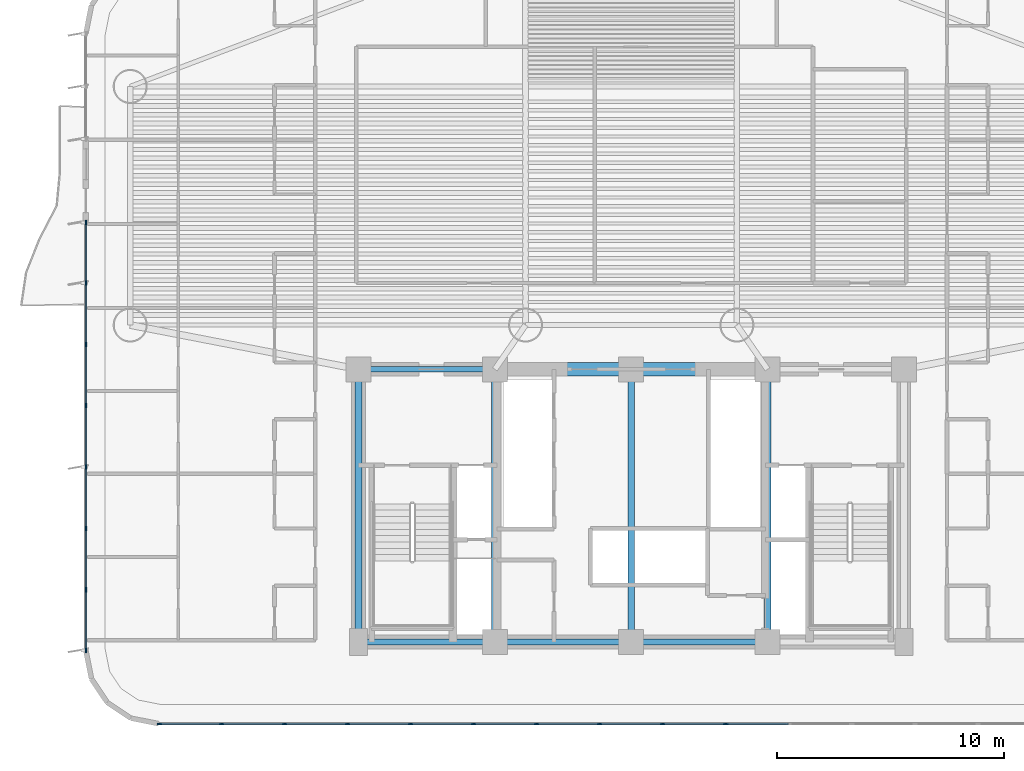
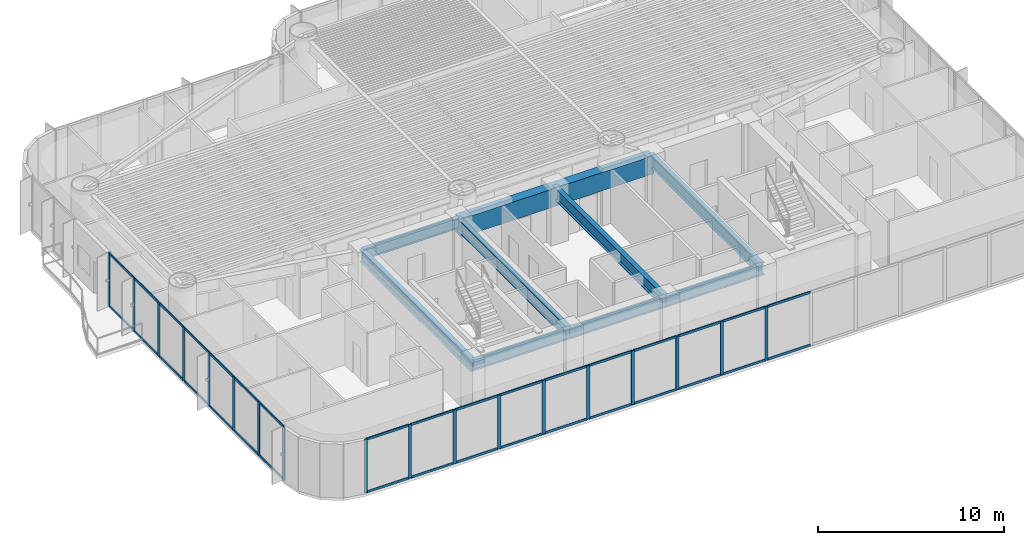
# One storey, part 2 of 19: 52 members, 9 beams, 2 elements without a shape of their own.
"""IFC4 building model written with IfcOpenShell, lengths in metres."""

from ifc_helpers import new_model, si_unit, direction, frame, origin, origin_2d, place, context, subcontext, project, spatial, rectangle, i_section, extrude, source, transform, mapped, material, layer, layer_set, material_profile, profile_set, type_object, element, aggregate, save


model = new_model("IFC4")

# Units and contexts
model_context = context("Model", 3, precision=1e-05, world=origin(), true_north=direction((0.0, 1.0)))
body_context = subcontext(model_context, "Body", "Model", "MODEL_VIEW")
ifc_project = project(units=[si_unit("LENGTHUNIT", "METRE"), si_unit("AREAUNIT", "SQUARE_METRE"), si_unit("VOLUMEUNIT", "CUBIC_METRE"), si_unit("PLANEANGLEUNIT", "RADIAN"), si_unit("MASSUNIT", "GRAM", prefix="KILO")], contexts=[model_context])

# Site, building, storey
site_placement = place(None, origin())
site = spatial("IfcSite", under=ifc_project, at=site_placement, CompositionType="ELEMENT")
building_placement = place(site_placement, origin())
building = spatial("IfcBuilding", under=site, at=building_placement, Name="Brelvock Crest Care Tower", CompositionType="ELEMENT")
storey_placement = place(building_placement, frame((0.0, 0.0, 34.56005859375)))
storey = spatial("IfcBuildingStorey", under=building, at=storey_placement, Name="L08", CompositionType="ELEMENT", Elevation=34.56005859375)

# Beams
ifc_material_1 = material(Name="Concrete S80 (80 MPa)", Category="concrete")
ifc_material_profile_1 = material_profile(ifc_material_1, rectangle(XDim=0.60009765625, YDim=1.199951171875, at=origin_2d()), Name="RC600x1200")
ifc_profile_set_1 = profile_set([ifc_material_profile_1], Name="Concrete S80 (80 MPa)")
beam_type_1 = type_object("IfcBeamType", Name="BM-LN1", PredefinedType="LINTEL", material=ifc_profile_set_1)
shared_shape_1 = source(origin(), body_context, "Body", "SweptSolid", [
    extrude(rectangle(XDim=0.60009765625, YDim=1.199951171875, at=origin_2d()), origin(), (0.0, 0.0, 1.0), 12.0),
])
beam_placement = place(storey_placement, frame((30.0, 18.0, 2.929931640625), z_axis=(1.0, 0.0, 0.0), x_axis=(0.0, 1.0, 0.0)))
element("IfcBeam", 1, at=beam_placement, inside=storey, type_object=beam_type_1, Name="L08 Core Coupling Lintel Beam", PredefinedType="LINTEL", context=body_context, shape_type="MappedRepresentation", body=[
    mapped(shared_shape_1, transform((0.0, 0.0, 0.0), x_axis=(1.0, 0.0, 0.0), y_axis=(0.0, 1.0, 0.0), z_axis=(0.0, 0.0, 1.0), scale=1.0)),
])
ifc_material_2 = material(Name="Steel Grade 350", Category="steel")
ifc_material_profile_2 = material_profile(ifc_material_2, i_section(OverallWidth=0.25, OverallDepth=0.699951171875, WebThickness=0.011962890625, FlangeThickness=0.02001953125, at=origin_2d()), Name="700WB150")
ifc_profile_set_2 = profile_set([ifc_material_profile_2], Name="Steel Grade 350")
beam_type_2 = type_object("IfcBeamType", Name="BM-G4", PredefinedType="BEAM", material=ifc_profile_set_2)
shared_shape_2 = source(origin(), body_context, "Body", "SweptSolid", [
    extrude(i_section(OverallWidth=0.25, OverallDepth=0.699951171875, WebThickness=0.011962890625, FlangeThickness=0.02001953125, at=origin_2d()), origin(), (0.0, 0.0, 1.0), 6.0),
])
for number, where, z_axis, x_axis, name in (
    (2, (24.0, 6.0, 3.179931640625), (1.0, 0.0, 0.0), (0.0, 1.0, 0.0), "BM-CORES-L08-1"),
    (3, (24.0, 18.0, 3.179931640625), (1.0, 0.0, 0.0), (0.0, 1.0, 0.0), "BM-COREN-L08-1"),
    (4, (30.0, 6.0, 3.179931640625), (1.0, 0.0, 0.0), (0.0, 1.0, 0.0), "BM-CORES-L08-2"),
    (5, (36.0, 6.0, 3.179931640625), (1.0, 0.0, 0.0), (0.0, 1.0, 0.0), "BM-CORES-L08-3"),
):
    element("IfcBeam", number, at=place(storey_placement, frame(where, z_axis=z_axis, x_axis=x_axis)), inside=storey, type_object=beam_type_2, Name=name, PredefinedType="BEAM", context=body_context, shape_type="MappedRepresentation", body=[
        mapped(shared_shape_2, transform((0.0, 0.0, 0.0), x_axis=(1.0, 0.0, 0.0), y_axis=(0.0, 1.0, 0.0), z_axis=(0.0, 0.0, 1.0), scale=1.0)),
    ])
ifc_material_profile_3 = material_profile(ifc_material_2, i_section(OverallWidth=0.300048828125, OverallDepth=0.800048828125, WebThickness=0.013916015625, FlangeThickness=0.02197265625, at=origin_2d()), Name="800WB192")
ifc_profile_set_3 = profile_set([ifc_material_profile_3], Name="Steel Grade 350")
beam_type_3 = type_object("IfcBeamType", Name="BM-G5", PredefinedType="BEAM", material=ifc_profile_set_3)
shared_shape_3 = source(origin(), body_context, "Body", "SweptSolid", [
    extrude(i_section(OverallWidth=0.300048828125, OverallDepth=0.800048828125, WebThickness=0.013916015625, FlangeThickness=0.02197265625, at=origin_2d()), origin(), (0.0, 0.0, 1.0), 12.0),
])
for number, where, z_axis, x_axis, name in (
    (6, (24.0, 6.0, 3.1298828125), (0.0, 1.0, 0.0), (-1.0, 0.0, 0.0), "BM-COREX-L08-1"),
    (7, (30.0, 6.0, 3.1298828125), (0.0, 1.0, 0.0), (-1.0, 0.0, 0.0), "BM-COREX-L08-2"),
    (8, (36.0, 6.0, 3.1298828125), (0.0, 1.0, 0.0), (-1.0, 0.0, 0.0), "BM-COREX-L08-3"),
    (9, (42.0, 6.0, 3.1298828125), (0.0, 1.0, 0.0), (-1.0, 0.0, 0.0), "BM-COREX-L08-4"),
):
    element("IfcBeam", number, at=place(storey_placement, frame(where, z_axis=z_axis, x_axis=x_axis)), inside=storey, type_object=beam_type_3, Name=name, PredefinedType="BEAM", context=body_context, shape_type="MappedRepresentation", body=[
        mapped(shared_shape_3, transform((0.0, 0.0, 0.0), x_axis=(1.0, 0.0, 0.0), y_axis=(0.0, 1.0, 0.0), z_axis=(0.0, 0.0, 1.0), scale=1.0)),
    ])

# Curtain wall, members
ifc_material_3 = material(Name="Dark Glass Double Glazed Low-E", Category="glass")
ifc_layer = layer(ifc_material_3, 0.195068359375, Name="CWS-2")
ifc_layer_set = layer_set([ifc_layer], Name="Dark Glass Double Glazed Low-E")
curtain_wall_type = type_object("IfcCurtainWallType", Name="CWS-2", PredefinedType="NOTDEFINED", material=ifc_layer_set)
curtain_wall_1_placement = place(storey_placement, origin())
curtain_wall_1 = element("IfcCurtainWall", 10, at=curtain_wall_1_placement, inside=storey, type_object=curtain_wall_type, Name="L08 Curtain Wall E08", PredefinedType="NOTDEFINED")
ifc_material_4 = material(Name="Aluminium 6063-T6", Category="aluminium")
ifc_material_profile_4 = material_profile(ifc_material_4, rectangle(XDim=0.06494140625, YDim=0.199951171875, at=origin_2d()), Name="ALU65x200")
ifc_profile_set_4 = profile_set([ifc_material_profile_4], Name="Aluminium 6063-T6")
member_type_1 = type_object("IfcMemberType", Name="CWM-1", PredefinedType="MULLION", material=ifc_profile_set_4)
shared_shape_4 = source(origin(), body_context, "Body", "SweptSolid", [
    extrude(rectangle(XDim=0.06494140625, YDim=0.199951171875, at=origin_2d()), origin(), (0.0, 0.0, 1.0), 3.530029296875),
])
member_1_placement = place(storey_placement, frame((40.159912109375, 2.39990234375, 0.0), z_axis=(0.0, 0.0, 1.0), x_axis=(0.0, -1.0, 0.0)))
member_1 = element("IfcMember", 11, at=member_1_placement, type_object=member_type_1, Name="CW-2 mullion 7", PredefinedType="MULLION", context=body_context, shape_type="MappedRepresentation", body=[
    mapped(shared_shape_4, transform((0.0, 0.0, 0.0), x_axis=(1.0, 0.0, 0.0), y_axis=(0.0, 1.0, 0.0), z_axis=(0.0, 0.0, 1.0), scale=1.0)),
])
member_2_placement = place(storey_placement, frame((37.38671875, 2.39990234375, 0.0), z_axis=(0.0, 0.0, 1.0), x_axis=(0.0, -1.0, 0.0)))
member_2 = element("IfcMember", 12, at=member_2_placement, type_object=member_type_1, Name="CW-2 mullion 8", PredefinedType="MULLION", context=body_context, shape_type="MappedRepresentation", body=[
    mapped(shared_shape_4, transform((0.0, 0.0, 0.0), x_axis=(1.0, 0.0, 0.0), y_axis=(0.0, 1.0, 0.0), z_axis=(0.0, 0.0, 1.0), scale=1.0)),
])
member_3_placement = place(storey_placement, frame((34.61328125, 2.39990234375, 0.0), z_axis=(0.0, 0.0, 1.0), x_axis=(0.0, -1.0, 0.0)))
member_3 = element("IfcMember", 13, at=member_3_placement, type_object=member_type_1, Name="CW-2 mullion 9", PredefinedType="MULLION", context=body_context, shape_type="MappedRepresentation", body=[
    mapped(shared_shape_4, transform((0.0, 0.0, 0.0), x_axis=(1.0, 0.0, 0.0), y_axis=(0.0, 1.0, 0.0), z_axis=(0.0, 0.0, 1.0), scale=1.0)),
])
member_4_placement = place(storey_placement, frame((31.840087890625, 2.39990234375, 0.0), z_axis=(0.0, 0.0, 1.0), x_axis=(0.0, -1.0, 0.0)))
member_4 = element("IfcMember", 14, at=member_4_placement, type_object=member_type_1, Name="CW-2 mullion 10", PredefinedType="MULLION", context=body_context, shape_type="MappedRepresentation", body=[
    mapped(shared_shape_4, transform((0.0, 0.0, 0.0), x_axis=(1.0, 0.0, 0.0), y_axis=(0.0, 1.0, 0.0), z_axis=(0.0, 0.0, 1.0), scale=1.0)),
])
member_5_placement = place(storey_placement, frame((29.066650390625, 2.39990234375, 0.0), z_axis=(0.0, 0.0, 1.0), x_axis=(0.0, -1.0, 0.0)))
member_5 = element("IfcMember", 15, at=member_5_placement, type_object=member_type_1, Name="CW-2 mullion 11", PredefinedType="MULLION", context=body_context, shape_type="MappedRepresentation", body=[
    mapped(shared_shape_4, transform((0.0, 0.0, 0.0), x_axis=(1.0, 0.0, 0.0), y_axis=(0.0, 1.0, 0.0), z_axis=(0.0, 0.0, 1.0), scale=1.0)),
])
member_6_placement = place(storey_placement, frame((26.293212890625, 2.39990234375, 0.0), z_axis=(0.0, 0.0, 1.0), x_axis=(0.0, -1.0, 0.0)))
member_6 = element("IfcMember", 16, at=member_6_placement, type_object=member_type_1, Name="CW-2 mullion 12", PredefinedType="MULLION", context=body_context, shape_type="MappedRepresentation", body=[
    mapped(shared_shape_4, transform((0.0, 0.0, 0.0), x_axis=(1.0, 0.0, 0.0), y_axis=(0.0, 1.0, 0.0), z_axis=(0.0, 0.0, 1.0), scale=1.0)),
])
member_7_placement = place(storey_placement, frame((23.52001953125, 2.39990234375, 0.0), z_axis=(0.0, 0.0, 1.0), x_axis=(0.0, -1.0, 0.0)))
member_7 = element("IfcMember", 17, at=member_7_placement, type_object=member_type_1, Name="CW-2 mullion 13", PredefinedType="MULLION", context=body_context, shape_type="MappedRepresentation", body=[
    mapped(shared_shape_4, transform((0.0, 0.0, 0.0), x_axis=(1.0, 0.0, 0.0), y_axis=(0.0, 1.0, 0.0), z_axis=(0.0, 0.0, 1.0), scale=1.0)),
])
member_8_placement = place(storey_placement, frame((20.74658203125, 2.39990234375, 0.0), z_axis=(0.0, 0.0, 1.0), x_axis=(0.0, -1.0, 0.0)))
member_8 = element("IfcMember", 18, at=member_8_placement, type_object=member_type_1, Name="CW-2 mullion 14", PredefinedType="MULLION", context=body_context, shape_type="MappedRepresentation", body=[
    mapped(shared_shape_4, transform((0.0, 0.0, 0.0), x_axis=(1.0, 0.0, 0.0), y_axis=(0.0, 1.0, 0.0), z_axis=(0.0, 0.0, 1.0), scale=1.0)),
])
member_9_placement = place(storey_placement, frame((17.973388671875, 2.39990234375, 0.0), z_axis=(0.0, 0.0, 1.0), x_axis=(0.0, -1.0, 0.0)))
member_9 = element("IfcMember", 19, at=member_9_placement, type_object=member_type_1, Name="CW-2 mullion 15", PredefinedType="MULLION", context=body_context, shape_type="MappedRepresentation", body=[
    mapped(shared_shape_4, transform((0.0, 0.0, 0.0), x_axis=(1.0, 0.0, 0.0), y_axis=(0.0, 1.0, 0.0), z_axis=(0.0, 0.0, 1.0), scale=1.0)),
])
member_10_placement = place(storey_placement, frame((15.232421875, 2.39990234375, 0.0), z_axis=(0.0, 0.0, 1.0), x_axis=(0.0, -1.0, 0.0)))
member_10 = element("IfcMember", 20, at=member_10_placement, type_object=member_type_1, Name="CW-2 mullion 16", PredefinedType="MULLION", context=body_context, shape_type="MappedRepresentation", body=[
    mapped(shared_shape_4, transform((0.0, 0.0, 0.0), x_axis=(1.0, 0.0, 0.0), y_axis=(0.0, 1.0, 0.0), z_axis=(0.0, 0.0, 1.0), scale=1.0)),
])

curtain_wall_2_placement = place(storey_placement, origin())
curtain_wall_2 = element("IfcCurtainWall", 21, at=curtain_wall_2_placement, inside=storey, type_object=curtain_wall_type, Name="L08 Curtain Wall E13A", PredefinedType="NOTDEFINED")
member_11_placement = place(storey_placement, frame((12.0, 5.632568359375, 0.0), z_axis=(0.0, 0.0, 1.0), x_axis=(-1.0, 0.0, 0.0)))
member_11 = element("IfcMember", 22, at=member_11_placement, type_object=member_type_1, Name="CW-2 mullion 1", PredefinedType="MULLION", context=body_context, shape_type="MappedRepresentation", body=[
    mapped(shared_shape_4, transform((0.0, 0.0, 0.0), x_axis=(1.0, 0.0, 0.0), y_axis=(0.0, 1.0, 0.0), z_axis=(0.0, 0.0, 1.0), scale=1.0)),
])
member_12_placement = place(storey_placement, frame((12.0, 8.300048828125, 0.0), z_axis=(0.0, 0.0, 1.0), x_axis=(-1.0, 0.0, 0.0)))
member_12 = element("IfcMember", 23, at=member_12_placement, type_object=member_type_1, Name="CW-2 mullion 2", PredefinedType="MULLION", context=body_context, shape_type="MappedRepresentation", body=[
    mapped(shared_shape_4, transform((0.0, 0.0, 0.0), x_axis=(1.0, 0.0, 0.0), y_axis=(0.0, 1.0, 0.0), z_axis=(0.0, 0.0, 1.0), scale=1.0)),
])
member_13_placement = place(storey_placement, frame((12.0, 11.0, 0.0), z_axis=(0.0, 0.0, 1.0), x_axis=(-1.0, 0.0, 0.0)))
member_13 = element("IfcMember", 24, at=member_13_placement, type_object=member_type_1, Name="CW-2 mullion 3", PredefinedType="MULLION", context=body_context, shape_type="MappedRepresentation", body=[
    mapped(shared_shape_4, transform((0.0, 0.0, 0.0), x_axis=(1.0, 0.0, 0.0), y_axis=(0.0, 1.0, 0.0), z_axis=(0.0, 0.0, 1.0), scale=1.0)),
])
member_14_placement = place(storey_placement, frame((12.0, 13.699951171875, 0.0), z_axis=(0.0, 0.0, 1.0), x_axis=(-1.0, 0.0, 0.0)))
member_14 = element("IfcMember", 25, at=member_14_placement, type_object=member_type_1, Name="CW-2 mullion 4", PredefinedType="MULLION", context=body_context, shape_type="MappedRepresentation", body=[
    mapped(shared_shape_4, transform((0.0, 0.0, 0.0), x_axis=(1.0, 0.0, 0.0), y_axis=(0.0, 1.0, 0.0), z_axis=(0.0, 0.0, 1.0), scale=1.0)),
])
member_15_placement = place(storey_placement, frame((12.0, 16.39990234375, 0.0), z_axis=(0.0, 0.0, 1.0), x_axis=(-1.0, 0.0, 0.0)))
member_15 = element("IfcMember", 26, at=member_15_placement, type_object=member_type_1, Name="CW-2 mullion 5", PredefinedType="MULLION", context=body_context, shape_type="MappedRepresentation", body=[
    mapped(shared_shape_4, transform((0.0, 0.0, 0.0), x_axis=(1.0, 0.0, 0.0), y_axis=(0.0, 1.0, 0.0), z_axis=(0.0, 0.0, 1.0), scale=1.0)),
])
member_16_placement = place(storey_placement, frame((12.0, 19.10009765625, 0.0), z_axis=(0.0, 0.0, 1.0), x_axis=(-1.0, 0.0, 0.0)))
member_16 = element("IfcMember", 27, at=member_16_placement, type_object=member_type_1, Name="CW-2 mullion 6", PredefinedType="MULLION", context=body_context, shape_type="MappedRepresentation", body=[
    mapped(shared_shape_4, transform((0.0, 0.0, 0.0), x_axis=(1.0, 0.0, 0.0), y_axis=(0.0, 1.0, 0.0), z_axis=(0.0, 0.0, 1.0), scale=1.0)),
])
member_17_placement = place(storey_placement, frame((12.0, 21.800048828125, 0.0), z_axis=(0.0, 0.0, 1.0), x_axis=(-1.0, 0.0, 0.0)))
member_17 = element("IfcMember", 28, at=member_17_placement, type_object=member_type_1, Name="CW-2 mullion 7", PredefinedType="MULLION", context=body_context, shape_type="MappedRepresentation", body=[
    mapped(shared_shape_4, transform((0.0, 0.0, 0.0), x_axis=(1.0, 0.0, 0.0), y_axis=(0.0, 1.0, 0.0), z_axis=(0.0, 0.0, 1.0), scale=1.0)),
])
member_18_placement = place(storey_placement, frame((12.0, 24.467529296875, 0.0), z_axis=(0.0, 0.0, 1.0), x_axis=(-1.0, 0.0, 0.0)))
member_18 = element("IfcMember", 29, at=member_18_placement, type_object=member_type_1, Name="CW-2 mullion 8", PredefinedType="MULLION", context=body_context, shape_type="MappedRepresentation", body=[
    mapped(shared_shape_4, transform((0.0, 0.0, 0.0), x_axis=(1.0, 0.0, 0.0), y_axis=(0.0, 1.0, 0.0), z_axis=(0.0, 0.0, 1.0), scale=1.0)),
])

# Member
ifc_material_profile_5 = material_profile(ifc_material_4, rectangle(XDim=0.06494140625, YDim=0.14990234375, at=origin_2d()), Name="ALU65x150")
ifc_profile_set_5 = profile_set([ifc_material_profile_5], Name="Aluminium 6063-T6")
member_type_2 = type_object("IfcMemberType", Name="CWT-1", PredefinedType="USERDEFINED", material=ifc_profile_set_5)
shared_shape_5 = source(origin(), body_context, "Body", "SweptSolid", [
    extrude(rectangle(XDim=0.06494140625, YDim=0.14990234375, at=origin_2d()), origin(), (0.0, 0.0, 1.0), 2.676025390625),
])
member_19_placement = place(storey_placement, frame((17.94091796875, 2.39990234375, 0.032470703125), z_axis=(-1.0, 0.0, 0.0), x_axis=(0.0, -1.0, 0.0)))
member_19 = element("IfcMember", 30, at=member_19_placement, type_object=member_type_2, Name="CW-2 transom 15.1", ObjectType="TRANSOM", PredefinedType="USERDEFINED", context=body_context, shape_type="MappedRepresentation", body=[
    mapped(shared_shape_5, transform((0.0, 0.0, 0.0), x_axis=(1.0, 0.0, 0.0), y_axis=(0.0, 1.0, 0.0), z_axis=(0.0, 0.0, 1.0), scale=1.0)),
])

member_20_placement = place(storey_placement, frame((17.94091796875, 2.39990234375, 3.49755859375), z_axis=(-1.0, 0.0, 0.0), x_axis=(0.0, -1.0, 0.0)))
member_20 = element("IfcMember", 31, at=member_20_placement, type_object=member_type_2, Name="CW-2 transom 15.2", ObjectType="TRANSOM", PredefinedType="USERDEFINED", context=body_context, shape_type="MappedRepresentation", body=[
    mapped(shared_shape_5, transform((0.0, 0.0, 0.0), x_axis=(1.0, 0.0, 0.0), y_axis=(0.0, 1.0, 0.0), z_axis=(0.0, 0.0, 1.0), scale=1.0)),
])

shared_shape_6 = source(origin(), body_context, "Body", "SweptSolid", [
    extrude(rectangle(XDim=0.06494140625, YDim=0.14990234375, at=origin_2d()), origin(), (0.0, 0.0, 1.0), 2.708251953125),
])
member_21_placement = place(storey_placement, frame((40.12744140625, 2.39990234375, 0.032470703125), z_axis=(-1.0, 0.0, 0.0), x_axis=(0.0, -1.0, 0.0)))
member_21 = element("IfcMember", 32, at=member_21_placement, type_object=member_type_2, Name="CW-2 transom 7.1", ObjectType="TRANSOM", PredefinedType="USERDEFINED", context=body_context, shape_type="MappedRepresentation", body=[
    mapped(shared_shape_6, transform((0.0, 0.0, 0.0), x_axis=(1.0, 0.0, 0.0), y_axis=(0.0, 1.0, 0.0), z_axis=(0.0, 0.0, 1.0), scale=1.0)),
])

member_22_placement = place(storey_placement, frame((40.12744140625, 2.39990234375, 3.49755859375), z_axis=(-1.0, 0.0, 0.0), x_axis=(0.0, -1.0, 0.0)))
member_22 = element("IfcMember", 33, at=member_22_placement, type_object=member_type_2, Name="CW-2 transom 7.2", ObjectType="TRANSOM", PredefinedType="USERDEFINED", context=body_context, shape_type="MappedRepresentation", body=[
    mapped(shared_shape_6, transform((0.0, 0.0, 0.0), x_axis=(1.0, 0.0, 0.0), y_axis=(0.0, 1.0, 0.0), z_axis=(0.0, 0.0, 1.0), scale=1.0)),
])

member_23_placement = place(storey_placement, frame((34.580810546875, 2.39990234375, 0.032470703125), z_axis=(-1.0, 0.0, 0.0), x_axis=(0.0, -1.0, 0.0)))
member_23 = element("IfcMember", 34, at=member_23_placement, type_object=member_type_2, Name="CW-2 transom 9.1", ObjectType="TRANSOM", PredefinedType="USERDEFINED", context=body_context, shape_type="MappedRepresentation", body=[
    mapped(shared_shape_6, transform((0.0, 0.0, 0.0), x_axis=(1.0, 0.0, 0.0), y_axis=(0.0, 1.0, 0.0), z_axis=(0.0, 0.0, 1.0), scale=1.0)),
])

member_24_placement = place(storey_placement, frame((34.580810546875, 2.39990234375, 3.49755859375), z_axis=(-1.0, 0.0, 0.0), x_axis=(0.0, -1.0, 0.0)))
member_24 = element("IfcMember", 35, at=member_24_placement, type_object=member_type_2, Name="CW-2 transom 9.2", ObjectType="TRANSOM", PredefinedType="USERDEFINED", context=body_context, shape_type="MappedRepresentation", body=[
    mapped(shared_shape_6, transform((0.0, 0.0, 0.0), x_axis=(1.0, 0.0, 0.0), y_axis=(0.0, 1.0, 0.0), z_axis=(0.0, 0.0, 1.0), scale=1.0)),
])

member_25_placement = place(storey_placement, frame((29.0341796875, 2.39990234375, 0.032470703125), z_axis=(-1.0, 0.0, 0.0), x_axis=(0.0, -1.0, 0.0)))
member_25 = element("IfcMember", 36, at=member_25_placement, type_object=member_type_2, Name="CW-2 transom 11.1", ObjectType="TRANSOM", PredefinedType="USERDEFINED", context=body_context, shape_type="MappedRepresentation", body=[
    mapped(shared_shape_6, transform((0.0, 0.0, 0.0), x_axis=(1.0, 0.0, 0.0), y_axis=(0.0, 1.0, 0.0), z_axis=(0.0, 0.0, 1.0), scale=1.0)),
])

member_26_placement = place(storey_placement, frame((29.0341796875, 2.39990234375, 3.49755859375), z_axis=(-1.0, 0.0, 0.0), x_axis=(0.0, -1.0, 0.0)))
member_26 = element("IfcMember", 37, at=member_26_placement, type_object=member_type_2, Name="CW-2 transom 11.2", ObjectType="TRANSOM", PredefinedType="USERDEFINED", context=body_context, shape_type="MappedRepresentation", body=[
    mapped(shared_shape_6, transform((0.0, 0.0, 0.0), x_axis=(1.0, 0.0, 0.0), y_axis=(0.0, 1.0, 0.0), z_axis=(0.0, 0.0, 1.0), scale=1.0)),
])

member_27_placement = place(storey_placement, frame((26.2607421875, 2.39990234375, 0.032470703125), z_axis=(-1.0, 0.0, 0.0), x_axis=(0.0, -1.0, 0.0)))
member_27 = element("IfcMember", 38, at=member_27_placement, type_object=member_type_2, Name="CW-2 transom 12.1", ObjectType="TRANSOM", PredefinedType="USERDEFINED", context=body_context, shape_type="MappedRepresentation", body=[
    mapped(shared_shape_6, transform((0.0, 0.0, 0.0), x_axis=(1.0, 0.0, 0.0), y_axis=(0.0, 1.0, 0.0), z_axis=(0.0, 0.0, 1.0), scale=1.0)),
])

member_28_placement = place(storey_placement, frame((26.2607421875, 2.39990234375, 3.49755859375), z_axis=(-1.0, 0.0, 0.0), x_axis=(0.0, -1.0, 0.0)))
member_28 = element("IfcMember", 39, at=member_28_placement, type_object=member_type_2, Name="CW-2 transom 12.2", ObjectType="TRANSOM", PredefinedType="USERDEFINED", context=body_context, shape_type="MappedRepresentation", body=[
    mapped(shared_shape_6, transform((0.0, 0.0, 0.0), x_axis=(1.0, 0.0, 0.0), y_axis=(0.0, 1.0, 0.0), z_axis=(0.0, 0.0, 1.0), scale=1.0)),
])

member_29_placement = place(storey_placement, frame((20.714111328125, 2.39990234375, 0.032470703125), z_axis=(-1.0, 0.0, 0.0), x_axis=(0.0, -1.0, 0.0)))
member_29 = element("IfcMember", 40, at=member_29_placement, type_object=member_type_2, Name="CW-2 transom 14.1", ObjectType="TRANSOM", PredefinedType="USERDEFINED", context=body_context, shape_type="MappedRepresentation", body=[
    mapped(shared_shape_6, transform((0.0, 0.0, 0.0), x_axis=(1.0, 0.0, 0.0), y_axis=(0.0, 1.0, 0.0), z_axis=(0.0, 0.0, 1.0), scale=1.0)),
])

member_30_placement = place(storey_placement, frame((20.714111328125, 2.39990234375, 3.49755859375), z_axis=(-1.0, 0.0, 0.0), x_axis=(0.0, -1.0, 0.0)))
member_30 = element("IfcMember", 41, at=member_30_placement, type_object=member_type_2, Name="CW-2 transom 14.2", ObjectType="TRANSOM", PredefinedType="USERDEFINED", context=body_context, shape_type="MappedRepresentation", body=[
    mapped(shared_shape_6, transform((0.0, 0.0, 0.0), x_axis=(1.0, 0.0, 0.0), y_axis=(0.0, 1.0, 0.0), z_axis=(0.0, 0.0, 1.0), scale=1.0)),
])

shared_shape_7 = source(origin(), body_context, "Body", "SweptSolid", [
    extrude(rectangle(XDim=0.06494140625, YDim=0.14990234375, at=origin_2d()), origin(), (0.0, 0.0, 1.0), 2.70849609375),
])
member_31_placement = place(storey_placement, frame((42.90087890625, 2.39990234375, 0.032470703125), z_axis=(-1.0, 0.0, 0.0), x_axis=(0.0, -1.0, 0.0)))
member_31 = element("IfcMember", 42, at=member_31_placement, type_object=member_type_2, Name="CW-2 transom 6.1", ObjectType="TRANSOM", PredefinedType="USERDEFINED", context=body_context, shape_type="MappedRepresentation", body=[
    mapped(shared_shape_7, transform((0.0, 0.0, 0.0), x_axis=(1.0, 0.0, 0.0), y_axis=(0.0, 1.0, 0.0), z_axis=(0.0, 0.0, 1.0), scale=1.0)),
])

member_32_placement = place(storey_placement, frame((42.90087890625, 2.39990234375, 3.49755859375), z_axis=(-1.0, 0.0, 0.0), x_axis=(0.0, -1.0, 0.0)))
member_32 = element("IfcMember", 43, at=member_32_placement, type_object=member_type_2, Name="CW-2 transom 6.2", ObjectType="TRANSOM", PredefinedType="USERDEFINED", context=body_context, shape_type="MappedRepresentation", body=[
    mapped(shared_shape_7, transform((0.0, 0.0, 0.0), x_axis=(1.0, 0.0, 0.0), y_axis=(0.0, 1.0, 0.0), z_axis=(0.0, 0.0, 1.0), scale=1.0)),
])

member_33_placement = place(storey_placement, frame((37.354248046875, 2.39990234375, 0.032470703125), z_axis=(-1.0, 0.0, 0.0), x_axis=(0.0, -1.0, 0.0)))
member_33 = element("IfcMember", 44, at=member_33_placement, type_object=member_type_2, Name="CW-2 transom 8.1", ObjectType="TRANSOM", PredefinedType="USERDEFINED", context=body_context, shape_type="MappedRepresentation", body=[
    mapped(shared_shape_7, transform((0.0, 0.0, 0.0), x_axis=(1.0, 0.0, 0.0), y_axis=(0.0, 1.0, 0.0), z_axis=(0.0, 0.0, 1.0), scale=1.0)),
])

member_34_placement = place(storey_placement, frame((37.354248046875, 2.39990234375, 3.49755859375), z_axis=(-1.0, 0.0, 0.0), x_axis=(0.0, -1.0, 0.0)))
member_34 = element("IfcMember", 45, at=member_34_placement, type_object=member_type_2, Name="CW-2 transom 8.2", ObjectType="TRANSOM", PredefinedType="USERDEFINED", context=body_context, shape_type="MappedRepresentation", body=[
    mapped(shared_shape_7, transform((0.0, 0.0, 0.0), x_axis=(1.0, 0.0, 0.0), y_axis=(0.0, 1.0, 0.0), z_axis=(0.0, 0.0, 1.0), scale=1.0)),
])

member_35_placement = place(storey_placement, frame((31.8076171875, 2.39990234375, 0.032470703125), z_axis=(-1.0, 0.0, 0.0), x_axis=(0.0, -1.0, 0.0)))
member_35 = element("IfcMember", 46, at=member_35_placement, type_object=member_type_2, Name="CW-2 transom 10.1", ObjectType="TRANSOM", PredefinedType="USERDEFINED", context=body_context, shape_type="MappedRepresentation", body=[
    mapped(shared_shape_7, transform((0.0, 0.0, 0.0), x_axis=(1.0, 0.0, 0.0), y_axis=(0.0, 1.0, 0.0), z_axis=(0.0, 0.0, 1.0), scale=1.0)),
])

member_36_placement = place(storey_placement, frame((31.8076171875, 2.39990234375, 3.49755859375), z_axis=(-1.0, 0.0, 0.0), x_axis=(0.0, -1.0, 0.0)))
member_36 = element("IfcMember", 47, at=member_36_placement, type_object=member_type_2, Name="CW-2 transom 10.2", ObjectType="TRANSOM", PredefinedType="USERDEFINED", context=body_context, shape_type="MappedRepresentation", body=[
    mapped(shared_shape_7, transform((0.0, 0.0, 0.0), x_axis=(1.0, 0.0, 0.0), y_axis=(0.0, 1.0, 0.0), z_axis=(0.0, 0.0, 1.0), scale=1.0)),
])

member_37_placement = place(storey_placement, frame((23.487548828125, 2.39990234375, 0.032470703125), z_axis=(-1.0, 0.0, 0.0), x_axis=(0.0, -1.0, 0.0)))
member_37 = element("IfcMember", 48, at=member_37_placement, type_object=member_type_2, Name="CW-2 transom 13.1", ObjectType="TRANSOM", PredefinedType="USERDEFINED", context=body_context, shape_type="MappedRepresentation", body=[
    mapped(shared_shape_7, transform((0.0, 0.0, 0.0), x_axis=(1.0, 0.0, 0.0), y_axis=(0.0, 1.0, 0.0), z_axis=(0.0, 0.0, 1.0), scale=1.0)),
])

member_38_placement = place(storey_placement, frame((23.487548828125, 2.39990234375, 3.49755859375), z_axis=(-1.0, 0.0, 0.0), x_axis=(0.0, -1.0, 0.0)))
member_38 = element("IfcMember", 49, at=member_38_placement, type_object=member_type_2, Name="CW-2 transom 13.2", ObjectType="TRANSOM", PredefinedType="USERDEFINED", context=body_context, shape_type="MappedRepresentation", body=[
    mapped(shared_shape_7, transform((0.0, 0.0, 0.0), x_axis=(1.0, 0.0, 0.0), y_axis=(0.0, 1.0, 0.0), z_axis=(0.0, 0.0, 1.0), scale=1.0)),
])

aggregate(curtain_wall_1, [member_1, member_2, member_3, member_4, member_5, member_6, member_7, member_8, member_9, member_10, member_31, member_32, member_21, member_22, member_33, member_34, member_23, member_24, member_35, member_36, member_25, member_26, member_27, member_28, member_37, member_38, member_29, member_30, member_19, member_20])

shared_shape_8 = source(origin(), body_context, "Body", "SweptSolid", [
    extrude(rectangle(XDim=0.06494140625, YDim=0.14990234375, at=origin_2d()), origin(), (0.0, 0.0, 1.0), 2.6025390625),
])
member_39_placement = place(storey_placement, frame((12.0, 5.6650390625, 0.032470703125), z_axis=(0.0, 1.0, 0.0), x_axis=(-1.0, 0.0, 0.0)))
member_39 = element("IfcMember", 50, at=member_39_placement, type_object=member_type_2, Name="CW-2 transom 1.1", ObjectType="TRANSOM", PredefinedType="USERDEFINED", context=body_context, shape_type="MappedRepresentation", body=[
    mapped(shared_shape_8, transform((0.0, 0.0, 0.0), x_axis=(1.0, 0.0, 0.0), y_axis=(0.0, 1.0, 0.0), z_axis=(0.0, 0.0, 1.0), scale=1.0)),
])

member_40_placement = place(storey_placement, frame((12.0, 5.6650390625, 3.49755859375), z_axis=(0.0, 1.0, 0.0), x_axis=(-1.0, 0.0, 0.0)))
member_40 = element("IfcMember", 51, at=member_40_placement, type_object=member_type_2, Name="CW-2 transom 1.2", ObjectType="TRANSOM", PredefinedType="USERDEFINED", context=body_context, shape_type="MappedRepresentation", body=[
    mapped(shared_shape_8, transform((0.0, 0.0, 0.0), x_axis=(1.0, 0.0, 0.0), y_axis=(0.0, 1.0, 0.0), z_axis=(0.0, 0.0, 1.0), scale=1.0)),
])

member_41_placement = place(storey_placement, frame((12.0, 21.83251953125, 0.032470703125), z_axis=(0.0, 1.0, 0.0), x_axis=(-1.0, 0.0, 0.0)))
member_41 = element("IfcMember", 52, at=member_41_placement, type_object=member_type_2, Name="CW-2 transom 7.1", ObjectType="TRANSOM", PredefinedType="USERDEFINED", context=body_context, shape_type="MappedRepresentation", body=[
    mapped(shared_shape_8, transform((0.0, 0.0, 0.0), x_axis=(1.0, 0.0, 0.0), y_axis=(0.0, 1.0, 0.0), z_axis=(0.0, 0.0, 1.0), scale=1.0)),
])

member_42_placement = place(storey_placement, frame((12.0, 21.83251953125, 3.49755859375), z_axis=(0.0, 1.0, 0.0), x_axis=(-1.0, 0.0, 0.0)))
member_42 = element("IfcMember", 53, at=member_42_placement, type_object=member_type_2, Name="CW-2 transom 7.2", ObjectType="TRANSOM", PredefinedType="USERDEFINED", context=body_context, shape_type="MappedRepresentation", body=[
    mapped(shared_shape_8, transform((0.0, 0.0, 0.0), x_axis=(1.0, 0.0, 0.0), y_axis=(0.0, 1.0, 0.0), z_axis=(0.0, 0.0, 1.0), scale=1.0)),
])

shared_shape_9 = source(origin(), body_context, "Body", "SweptSolid", [
    extrude(rectangle(XDim=0.06494140625, YDim=0.14990234375, at=origin_2d()), origin(), (0.0, 0.0, 1.0), 2.635009765625),
])
member_43_placement = place(storey_placement, frame((12.0, 8.33251953125, 0.032470703125), z_axis=(0.0, 1.0, 0.0), x_axis=(-1.0, 0.0, 0.0)))
member_43 = element("IfcMember", 54, at=member_43_placement, type_object=member_type_2, Name="CW-2 transom 2.1", ObjectType="TRANSOM", PredefinedType="USERDEFINED", context=body_context, shape_type="MappedRepresentation", body=[
    mapped(shared_shape_9, transform((0.0, 0.0, 0.0), x_axis=(1.0, 0.0, 0.0), y_axis=(0.0, 1.0, 0.0), z_axis=(0.0, 0.0, 1.0), scale=1.0)),
])

member_44_placement = place(storey_placement, frame((12.0, 8.33251953125, 3.49755859375), z_axis=(0.0, 1.0, 0.0), x_axis=(-1.0, 0.0, 0.0)))
member_44 = element("IfcMember", 55, at=member_44_placement, type_object=member_type_2, Name="CW-2 transom 2.2", ObjectType="TRANSOM", PredefinedType="USERDEFINED", context=body_context, shape_type="MappedRepresentation", body=[
    mapped(shared_shape_9, transform((0.0, 0.0, 0.0), x_axis=(1.0, 0.0, 0.0), y_axis=(0.0, 1.0, 0.0), z_axis=(0.0, 0.0, 1.0), scale=1.0)),
])

member_45_placement = place(storey_placement, frame((12.0, 11.032470703125, 0.032470703125), z_axis=(0.0, 1.0, 0.0), x_axis=(-1.0, 0.0, 0.0)))
member_45 = element("IfcMember", 56, at=member_45_placement, type_object=member_type_2, Name="CW-2 transom 3.1", ObjectType="TRANSOM", PredefinedType="USERDEFINED", context=body_context, shape_type="MappedRepresentation", body=[
    mapped(shared_shape_9, transform((0.0, 0.0, 0.0), x_axis=(1.0, 0.0, 0.0), y_axis=(0.0, 1.0, 0.0), z_axis=(0.0, 0.0, 1.0), scale=1.0)),
])

member_46_placement = place(storey_placement, frame((12.0, 11.032470703125, 3.49755859375), z_axis=(0.0, 1.0, 0.0), x_axis=(-1.0, 0.0, 0.0)))
member_46 = element("IfcMember", 57, at=member_46_placement, type_object=member_type_2, Name="CW-2 transom 3.2", ObjectType="TRANSOM", PredefinedType="USERDEFINED", context=body_context, shape_type="MappedRepresentation", body=[
    mapped(shared_shape_9, transform((0.0, 0.0, 0.0), x_axis=(1.0, 0.0, 0.0), y_axis=(0.0, 1.0, 0.0), z_axis=(0.0, 0.0, 1.0), scale=1.0)),
])

member_47_placement = place(storey_placement, frame((12.0, 13.732421875, 0.032470703125), z_axis=(0.0, 1.0, 0.0), x_axis=(-1.0, 0.0, 0.0)))
member_47 = element("IfcMember", 58, at=member_47_placement, type_object=member_type_2, Name="CW-2 transom 4.1", ObjectType="TRANSOM", PredefinedType="USERDEFINED", context=body_context, shape_type="MappedRepresentation", body=[
    mapped(shared_shape_9, transform((0.0, 0.0, 0.0), x_axis=(1.0, 0.0, 0.0), y_axis=(0.0, 1.0, 0.0), z_axis=(0.0, 0.0, 1.0), scale=1.0)),
])

member_48_placement = place(storey_placement, frame((12.0, 13.732421875, 3.49755859375), z_axis=(0.0, 1.0, 0.0), x_axis=(-1.0, 0.0, 0.0)))
member_48 = element("IfcMember", 59, at=member_48_placement, type_object=member_type_2, Name="CW-2 transom 4.2", ObjectType="TRANSOM", PredefinedType="USERDEFINED", context=body_context, shape_type="MappedRepresentation", body=[
    mapped(shared_shape_9, transform((0.0, 0.0, 0.0), x_axis=(1.0, 0.0, 0.0), y_axis=(0.0, 1.0, 0.0), z_axis=(0.0, 0.0, 1.0), scale=1.0)),
])

member_49_placement = place(storey_placement, frame((12.0, 19.132568359375, 0.032470703125), z_axis=(0.0, 1.0, 0.0), x_axis=(-1.0, 0.0, 0.0)))
member_49 = element("IfcMember", 60, at=member_49_placement, type_object=member_type_2, Name="CW-2 transom 6.1", ObjectType="TRANSOM", PredefinedType="USERDEFINED", context=body_context, shape_type="MappedRepresentation", body=[
    mapped(shared_shape_9, transform((0.0, 0.0, 0.0), x_axis=(1.0, 0.0, 0.0), y_axis=(0.0, 1.0, 0.0), z_axis=(0.0, 0.0, 1.0), scale=1.0)),
])

member_50_placement = place(storey_placement, frame((12.0, 19.132568359375, 3.49755859375), z_axis=(0.0, 1.0, 0.0), x_axis=(-1.0, 0.0, 0.0)))
member_50 = element("IfcMember", 61, at=member_50_placement, type_object=member_type_2, Name="CW-2 transom 6.2", ObjectType="TRANSOM", PredefinedType="USERDEFINED", context=body_context, shape_type="MappedRepresentation", body=[
    mapped(shared_shape_9, transform((0.0, 0.0, 0.0), x_axis=(1.0, 0.0, 0.0), y_axis=(0.0, 1.0, 0.0), z_axis=(0.0, 0.0, 1.0), scale=1.0)),
])

shared_shape_10 = source(origin(), body_context, "Body", "SweptSolid", [
    extrude(rectangle(XDim=0.06494140625, YDim=0.14990234375, at=origin_2d()), origin(), (0.0, 0.0, 1.0), 2.634765625),
])
member_51_placement = place(storey_placement, frame((12.0, 16.4326171875, 0.032470703125), z_axis=(0.0, 1.0, 0.0), x_axis=(-1.0, 0.0, 0.0)))
member_51 = element("IfcMember", 62, at=member_51_placement, type_object=member_type_2, Name="CW-2 transom 5.1", ObjectType="TRANSOM", PredefinedType="USERDEFINED", context=body_context, shape_type="MappedRepresentation", body=[
    mapped(shared_shape_10, transform((0.0, 0.0, 0.0), x_axis=(1.0, 0.0, 0.0), y_axis=(0.0, 1.0, 0.0), z_axis=(0.0, 0.0, 1.0), scale=1.0)),
])

member_52_placement = place(storey_placement, frame((12.0, 16.4326171875, 3.49755859375), z_axis=(0.0, 1.0, 0.0), x_axis=(-1.0, 0.0, 0.0)))
member_52 = element("IfcMember", 63, at=member_52_placement, type_object=member_type_2, Name="CW-2 transom 5.2", ObjectType="TRANSOM", PredefinedType="USERDEFINED", context=body_context, shape_type="MappedRepresentation", body=[
    mapped(shared_shape_10, transform((0.0, 0.0, 0.0), x_axis=(1.0, 0.0, 0.0), y_axis=(0.0, 1.0, 0.0), z_axis=(0.0, 0.0, 1.0), scale=1.0)),
])

aggregate(curtain_wall_2, [member_11, member_12, member_13, member_14, member_15, member_16, member_17, member_18, member_39, member_40, member_43, member_44, member_45, member_46, member_47, member_48, member_51, member_52, member_49, member_50, member_41, member_42])

save(model, "model.ifc")
